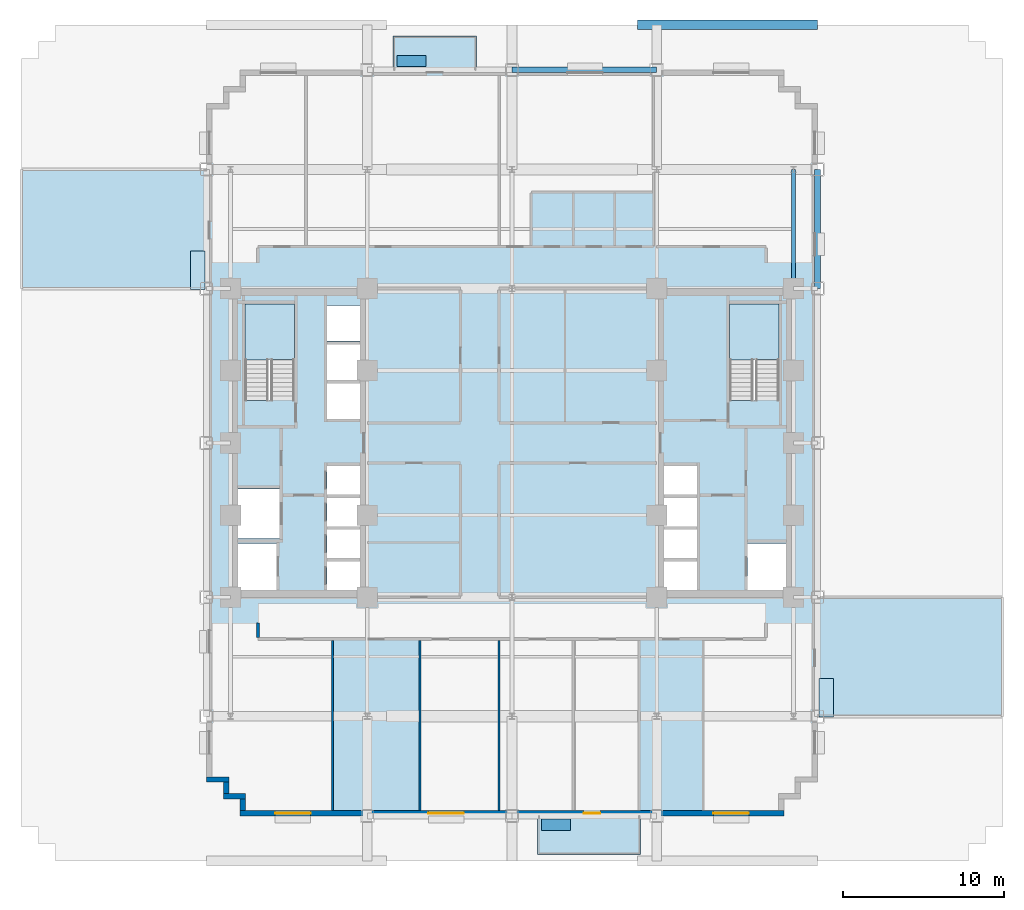
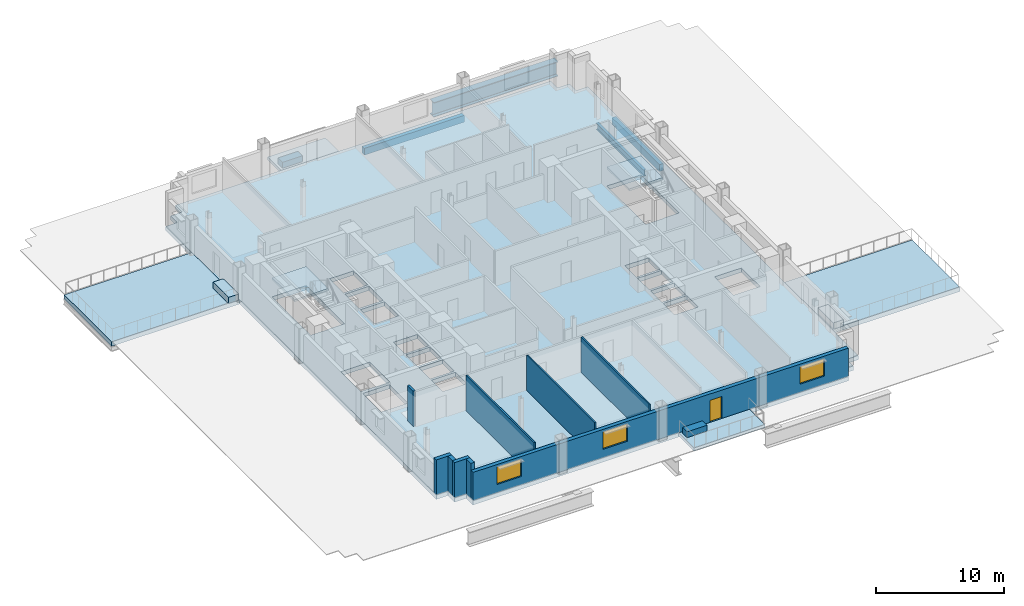
# One storey, part 4 of 13: 9 walls, 7 slabs, 4 beams, 4 plates, 3 windows, 1 door, 4 openings, 2 elements without a shape of their own.
"""IFC4 building model written with IfcOpenShell, lengths in metres."""

from ifc_helpers import new_model, si_unit, direction, frame, frame_2d, origin, origin_2d, place, context, subcontext, project, spatial, polyline, rectangle, i_section, outline, extrude, source, transform, mapped, material, layer, layer_set, material_profile, profile_set, type_object, type_shapes, element, fill, aggregate, save


model = new_model("IFC4")

# Units and contexts
model_context = context("Model", 3, precision=1e-05, world=origin(), true_north=direction((0.0, 1.0)))
body_context = subcontext(model_context, "Body", "Model", "MODEL_VIEW")
ifc_project = project(units=[si_unit("LENGTHUNIT", "METRE"), si_unit("AREAUNIT", "SQUARE_METRE"), si_unit("VOLUMEUNIT", "CUBIC_METRE"), si_unit("PLANEANGLEUNIT", "RADIAN"), si_unit("MASSUNIT", "GRAM", prefix="KILO")], contexts=[model_context])

# Site, building, storey
site_placement = place(None, origin())
site = spatial("IfcSite", under=ifc_project, at=site_placement, CompositionType="ELEMENT")
building_placement = place(site_placement, origin())
building = spatial("IfcBuilding", under=site, at=building_placement, Name="Nuvemarco Arch Tower", CompositionType="ELEMENT")
storey_placement = place(building_placement, frame((0.0, 0.0, 27.60009765625)))
storey = spatial("IfcBuildingStorey", under=building, at=storey_placement, Name="L06", CompositionType="ELEMENT", Elevation=27.60009765625)

# Beams
ifc_material_1 = material(Name="Steel S355", Category="steel")
ifc_material_profile_1 = material_profile(ifc_material_1, i_section(OverallWidth=0.22998046875, OverallDepth=0.616943359375, WebThickness=0.01318359375, FlangeThickness=0.022216796875, FilletRadius=0.01611328125, at=origin_2d()), Name="W610x140")
ifc_profile_set_1 = profile_set([ifc_material_profile_1], Name="Steel S355")
beam_type_1 = type_object("IfcBeamType", Name="BM-GIRD-610", PredefinedType="BEAM", material=ifc_profile_set_1)
beam_1_placement = place(storey_placement, frame((17.5, 9.60009765625, -0.70849609375), z_axis=(0.0, 1.0, 0.0), x_axis=(-1.0, 0.0, 0.0)))
element("IfcBeam", 1, at=beam_1_placement, inside=storey, type_object=beam_type_1, Name="L06 structural beam BGNS_L06_0_+17.5_+9.6", PredefinedType="BEAM", context=body_context, shape_type="SweptSolid", body=[
    extrude(i_section(OverallWidth=0.22998046875, OverallDepth=0.616943359375, WebThickness=0.01318359375, FlangeThickness=0.022216796875, FilletRadius=0.01611328125, at=origin_2d()), origin(), (0.0, 0.0, 1.0), 7.39990234375),
])
ifc_material_2 = material(Name="Precast concrete C45/55", Category="concrete")
ifc_material_profile_2 = material_profile(ifc_material_2, rectangle(XDim=0.35009765625, YDim=0.64990234375, at=origin_2d()), Name="PC-SP-350x650")
ifc_profile_set_2 = profile_set([ifc_material_profile_2], Name="Precast concrete C45/55")
beam_type_2 = type_object("IfcBeamType", Name="BM-SPAN-RC", PredefinedType="SPANDREL", material=ifc_profile_set_2)
beam_2_placement = place(storey_placement, frame((19.0, 9.60009765625, -0.72509765625), z_axis=(0.0, 1.0, 0.0), x_axis=(-1.0, 0.0, 0.0)))
element("IfcBeam", 2, at=beam_2_placement, inside=storey, type_object=beam_type_2, Name="L06 structural beam BGNS_L06_0_+19.0_+9.6", PredefinedType="SPANDREL", context=body_context, shape_type="SweptSolid", body=[
    extrude(rectangle(XDim=0.35009765625, YDim=0.64990234375, at=origin_2d()), origin(), (0.0, 0.0, 1.0), 7.39990234375),
])
beam_3_placement = place(storey_placement, frame((0.0, 23.199951171875, -0.72509765625), z_axis=(1.0, 0.0, 0.0), x_axis=(0.0, 1.0, 0.0)))
element("IfcBeam", 3, at=beam_3_placement, inside=storey, type_object=beam_type_2, Name="L06 structural beam BGEW_L06_0_+23.2_+0.0", PredefinedType="SPANDREL", context=body_context, shape_type="SweptSolid", body=[
    extrude(rectangle(XDim=0.35009765625, YDim=0.64990234375, at=origin_2d()), origin(), (0.0, 0.0, 1.0), 9.0),
])
ifc_material_3 = material(Name="Steel S460", Category="steel")
ifc_material_profile_3 = material_profile(ifc_material_3, i_section(OverallWidth=0.60009765625, OverallDepth=1.39990234375, WebThickness=0.031982421875, FlangeThickness=0.054931640625, FilletRadius=0.02001953125, at=origin_2d()), Name="PG1400x600")
ifc_profile_set_3 = profile_set([ifc_material_profile_3], Name="Steel S460")
beam_type_3 = type_object("IfcBeamType", Name="BM-TG-SETBACK", PredefinedType="BEAM", material=ifc_profile_set_3)
beam_4_placement = place(storey_placement, frame((7.800048828125, 26.0, -1.10009765625), z_axis=(1.0, 0.0, 0.0), x_axis=(0.0, 1.0, 0.0)))
element("IfcBeam", 4, at=beam_4_placement, inside=storey, type_object=beam_type_3, Name="L06 structural beam TGL06_EW_E_+26.0", PredefinedType="BEAM", context=body_context, shape_type="SweptSolid", body=[
    extrude(i_section(OverallWidth=0.60009765625, OverallDepth=1.39990234375, WebThickness=0.031982421875, FlangeThickness=0.054931640625, FilletRadius=0.02001953125, at=origin_2d()), origin(), (0.0, 0.0, 1.0), 11.199951171875),
])

# Slab
ifc_material_4 = material(Name="Concrete C60/75", Category="concrete")
ifc_layer_1 = layer(ifc_material_4, 0.39990234375, Name="SL-FLR-400")
ifc_layer_set_1 = layer_set([ifc_layer_1], Name="Concrete C60/75")
slab_type_1 = type_object("IfcSlabType", Name="SL-FLR-400", PredefinedType="FLOOR", material=ifc_layer_set_1)
slab_1_placement = place(storey_placement, frame((0.0, 0.0, -0.400146484375)))
element("IfcSlab", 5, at=slab_1_placement, inside=storey, type_object=slab_type_1, Name="L06 structural floor slab", PredefinedType="FLOOR", context=body_context, shape_type="SweptSolid", body=[
    extrude(outline(polyline([(-16.89990234375, -23.199951171875), (16.89990234375, -23.199951171875), (16.89990234375, -22.14990234375), (17.949951171875, -22.14990234375), (17.949951171875, -21.10009765625), (19.0, -21.10009765625), (19.0, 21.10009765625), (17.949951171875, 21.10009765625), (17.949951171875, 22.14990234375), (16.89990234375, 22.14990234375), (16.89990234375, 23.199951171875), (-16.89990234375, 23.199951171875), (-16.89990234375, 22.14990234375), (-17.949951171875, 22.14990234375), (-17.949951171875, 21.10009765625), (-19.0, 21.10009765625), (-19.0, -21.10009765625), (-17.949951171875, -21.10009765625), (-17.949951171875, -22.14990234375), (-16.89990234375, -22.14990234375), (-16.89990234375, -23.199951171875)]), holes=[polyline([(-13.5400390625, 2.669921875), (-13.5400390625, 8.64990234375), (-16.60009765625, 8.64990234375), (-16.60009765625, 2.630615234375), (-15.070068359375, 2.630615234375), (-15.070068359375, 2.669921875), (-13.5400390625, 2.669921875)]), polyline([(16.60009765625, 2.669921875), (16.60009765625, 8.64990234375), (13.5400390625, 8.64990234375), (13.5400390625, 2.630615234375), (15.070068359375, 2.630615234375), (15.070068359375, 2.669921875), (16.60009765625, 2.669921875)]), polyline([(-17.050048828125, -9.14990234375), (-14.64990234375, -9.14990234375), (-14.64990234375, -6.25), (-17.050048828125, -6.25), (-17.050048828125, -9.14990234375)]), polyline([(-17.050048828125, -5.949951171875), (-14.449951171875, -5.949951171875), (-14.449951171875, -2.85009765625), (-17.050048828125, -2.85009765625), (-17.050048828125, -5.949951171875)]), polyline([(-11.5, -9.14990234375), (-9.35009765625, -9.14990234375), (-9.35009765625, -7.3701171875), (-11.5, -7.3701171875), (-11.5, -9.14990234375)]), polyline([(-11.5, -7.169921875), (-9.35009765625, -7.169921875), (-9.35009765625, -5.389892578125), (-11.5, -5.389892578125), (-11.5, -7.169921875)]), polyline([(-11.5, -5.18994140625), (-9.35009765625, -5.18994140625), (-9.35009765625, -3.409912109375), (-11.5, -3.409912109375), (-11.5, -5.18994140625)]), polyline([(-11.5, -3.2099609375), (-9.35009765625, -3.2099609375), (-9.35009765625, -1.429931640625), (-11.5, -1.429931640625), (-11.5, -3.2099609375)]), polyline([(-11.5, 1.5), (-9.35009765625, 1.5), (-9.35009765625, 3.699951171875), (-11.5, 3.699951171875), (-11.5, 1.5)]), polyline([(-11.5, 3.919921875), (-9.35009765625, 3.919921875), (-9.35009765625, 6.1201171875), (-11.5, 6.1201171875), (-11.5, 3.919921875)]), polyline([(-11.5, 6.340087890625), (-9.35009765625, 6.340087890625), (-9.35009765625, 8.5400390625), (-11.5, 8.5400390625), (-11.5, 6.340087890625)]), polyline([(14.64990234375, -9.14990234375), (17.050048828125, -9.14990234375), (17.050048828125, -6.25), (14.64990234375, -6.25), (14.64990234375, -9.14990234375)]), polyline([(9.35009765625, -9.14990234375), (11.5, -9.14990234375), (11.5, -7.3701171875), (9.35009765625, -7.3701171875), (9.35009765625, -9.14990234375)]), polyline([(9.35009765625, -7.169921875), (11.5, -7.169921875), (11.5, -5.389892578125), (9.35009765625, -5.389892578125), (9.35009765625, -7.169921875)]), polyline([(9.35009765625, -5.18994140625), (11.5, -5.18994140625), (11.5, -3.409912109375), (9.35009765625, -3.409912109375), (9.35009765625, -5.18994140625)]), polyline([(9.35009765625, -3.2099609375), (11.5, -3.2099609375), (11.5, -1.429931640625), (9.35009765625, -1.429931640625), (9.35009765625, -3.2099609375)])]), origin(), (0.0, 0.0, 1.0), 0.400146484375),
])

# Stair, slab
stair_type = type_object("IfcStairType", Name="ST-CORE-20R", PredefinedType="HALF_TURN_STAIR", material=ifc_material_2)
stair_1_placement = place(storey_placement, origin())
stair_1 = element("IfcStair", 6, at=stair_1_placement, inside=storey, type_object=stair_type, Name="L06 Protected Exit Stair ST-1", PredefinedType="HALF_TURN_STAIR")
ifc_layer_2 = layer(ifc_material_2, 0.199951171875, Name="SL-LANDING-200")
ifc_layer_set_2 = layer_set([ifc_layer_2], Name="Precast concrete C45/55")
slab_type_2 = type_object("IfcSlabType", Name="SL-LANDING-200", PredefinedType="LANDING", material=ifc_layer_set_2)
slab_2_placement = place(storey_placement, frame((0.0, 0.0, 1.625)))
slab_2 = element("IfcSlab", 7, at=slab_2_placement, type_object=slab_type_2, Name="ST-20R landing 1", PredefinedType="LANDING", context=body_context, shape_type="SweptSolid", body=[
    extrude(outline(polyline([(-13.5400390625, 5.189453125), (-13.5400390625, 8.64990234375), (-16.60009765625, 8.64990234375), (-16.60009765625, 5.169921875), (-15.070068359375, 5.169921875), (-15.070068359375, 5.189453125), (-13.5400390625, 5.189453125)])), origin(), (0.0, 0.0, 1.0), 0.199951171875),
])
aggregate(stair_1, [slab_2])

stair_2_placement = place(storey_placement, origin())
stair_2 = element("IfcStair", 8, at=stair_2_placement, inside=storey, type_object=stair_type, Name="L06 Protected Exit Stair ST-2", PredefinedType="HALF_TURN_STAIR")
slab_3_placement = place(storey_placement, frame((0.0, 0.0, 1.625)))
slab_3 = element("IfcSlab", 9, at=slab_3_placement, type_object=slab_type_2, Name="ST-20R landing 1", PredefinedType="LANDING", context=body_context, shape_type="SweptSolid", body=[
    extrude(outline(polyline([(16.60009765625, 5.189453125), (16.60009765625, 8.64990234375), (13.5400390625, 8.64990234375), (13.5400390625, 5.169921875), (15.070068359375, 5.169921875), (15.070068359375, 5.189453125), (16.60009765625, 5.189453125)])), origin(), (0.0, 0.0, 1.0), 0.199951171875),
])
aggregate(stair_2, [slab_3])

# Slabs
ifc_material_5 = material(Name="Concrete C50/60", Category="concrete")
ifc_layer_3 = layer(ifc_material_5, 0.264892578125, Name="SL-TB1")
ifc_layer_set_3 = layer_set([ifc_layer_3], Name="Concrete C50/60")
slab_type_3 = type_object("IfcSlabType", Name="SL-TB1", PredefinedType="FLOOR", material=ifc_layer_set_3)
slab_4_placement = place(storey_placement, frame((0.0, 0.0, -0.26513671875)))
element("IfcSlab", 10, at=slab_4_placement, inside=storey, type_object=slab_type_3, Name="L06 outdoor tree balcony slab 4", PredefinedType="FLOOR", context=body_context, shape_type="SweptSolid", body=[
    extrude(outline(polyline([(-7.39990234375, 23.199951171875), (-2.199951171875, 23.199951171875), (-2.199951171875, 25.300048828125), (-7.39990234375, 25.300048828125), (-7.39990234375, 23.199951171875)])), origin(), (0.0, 0.0, 1.0), 0.26513671875),
])
ifc_layer_4 = layer(ifc_material_5, 0.419921875, Name="SL-TR1")
ifc_layer_set_4 = layer_set([ifc_layer_4], Name="Concrete C50/60")
slab_type_4 = type_object("IfcSlabType", Name="SL-TR1", PredefinedType="FLOOR", material=ifc_layer_set_4)
slab_5_placement = place(storey_placement, frame((0.0, 0.0, -0.420166015625)))
element("IfcSlab", 11, at=slab_5_placement, inside=storey, type_object=slab_type_4, Name="L06 outdoor setback terrace slab 1", PredefinedType="FLOOR", context=body_context, shape_type="SweptSolid", body=[
    extrude(outline(polyline([(-30.5, 9.60009765625), (-19.0, 9.60009765625), (-19.0, 17.0), (-30.5, 17.0), (-30.5, 9.60009765625)])), origin(), (0.0, 0.0, 1.0), 0.420166015625),
])
slab_6_placement = place(storey_placement, frame((0.0, 0.0, -0.420166015625)))
element("IfcSlab", 12, at=slab_6_placement, inside=storey, type_object=slab_type_4, Name="L06 outdoor setback terrace slab 2", PredefinedType="FLOOR", context=body_context, shape_type="SweptSolid", body=[
    extrude(outline(polyline([(19.0, -17.0), (30.5, -17.0), (30.5, -9.60009765625), (19.0, -9.60009765625), (19.0, -17.0)])), origin(), (0.0, 0.0, 1.0), 0.420166015625),
])
ifc_layer_5 = layer(ifc_material_5, 0.294921875, Name="SL-TR4")
ifc_layer_set_5 = layer_set([ifc_layer_5], Name="Concrete C50/60")
slab_type_5 = type_object("IfcSlabType", Name="SL-TR4", PredefinedType="FLOOR", material=ifc_layer_set_5)
slab_7_placement = place(storey_placement, frame((0.0, 0.0, -0.295166015625)))
element("IfcSlab", 13, at=slab_7_placement, inside=storey, type_object=slab_type_5, Name="L06 outdoor spiral terrace slab 3", PredefinedType="FLOOR", context=body_context, shape_type="SweptSolid", body=[
    extrude(outline(polyline([(1.60009765625, -25.60009765625), (8.0, -25.60009765625), (8.0, -23.199951171875), (1.60009765625, -23.199951171875), (1.60009765625, -25.60009765625)])), origin(), (0.0, 0.0, 1.0), 0.295166015625),
])

# Plates
ifc_layer_6 = layer(ifc_material_2, 0.60009765625, Name="Setback Terrace Structural Planter")
ifc_layer_set_6 = layer_set([ifc_layer_6], Name="Precast concrete C45/55")
plate_type_1 = type_object("IfcPlateType", Name="Setback Terrace Structural Planter", PredefinedType="USERDEFINED", material=ifc_layer_set_6)
shared_shape_1 = source(origin(), body_context, "Body", "SweptSolid", [
    extrude(rectangle(XDim=2.39990234375, YDim=0.89990234375, at=origin_2d()), origin(), (0.0, 0.0, 1.0), 0.60009765625),
])
type_shapes(plate_type_1, [shared_shape_1])
for number, where, z_axis, x_axis, name in (
    (14, (-19.550048828125, 10.75, -0.000244140625), (0.0, 0.0, 1.0), (0.0, 1.0, 0.0), "L06 Setback Terrace Structural Planter"),
    (15, (19.550048828125, -15.85009765625, -0.000244140625), (0.0, 0.0, 1.0), (0.0, 1.0, 0.0), "L06 Setback Terrace Structural Planter"),
):
    element("IfcPlate", number, at=place(storey_placement, frame(where, z_axis=z_axis, x_axis=x_axis)), inside=storey, type_object=plate_type_1, Name=name, ObjectType="PLANTER", PredefinedType="USERDEFINED", context=body_context, shape_type="MappedRepresentation", body=[
        mapped(shared_shape_1, transform((0.0, 0.0, 0.0), scale=1.0)),
    ])
ifc_layer_7 = layer(ifc_material_2, 0.550048828125, Name="Tree Balcony Structural Planter")
ifc_layer_set_7 = layer_set([ifc_layer_7], Name="Precast concrete C45/55")
plate_type_2 = type_object("IfcPlateType", Name="Tree Balcony Structural Planter", PredefinedType="USERDEFINED", material=ifc_layer_set_7)
shared_shape_2 = source(origin(), body_context, "Body", "SweptSolid", [
    extrude(rectangle(XDim=1.800048828125, YDim=0.699951171875, at=origin_2d()), origin(), (0.0, 0.0, 1.0), 0.550048828125),
])
type_shapes(plate_type_2, [shared_shape_2])
for number, where, z_axis, x_axis, name in (
    (16, (2.75, -23.75, 0.0), (0.0, 0.0, 1.0), (1.0, 0.0, 0.0), "L06 Tree Balcony Structural Planter"),
    (17, (-6.25, 23.75, 0.0), (0.0, 0.0, 1.0), (1.0, 0.0, 0.0), "L06 Tree Balcony Structural Planter"),
):
    element("IfcPlate", number, at=place(storey_placement, frame(where, z_axis=z_axis, x_axis=x_axis)), inside=storey, type_object=plate_type_2, Name=name, ObjectType="PLANTER", PredefinedType="USERDEFINED", context=body_context, shape_type="MappedRepresentation", body=[
        mapped(shared_shape_2, transform((0.0, 0.0, 0.0), scale=1.0)),
    ])

# Wall, openings, door, windows
ifc_layer_8 = layer(ifc_material_2, 0.340087890625, Name="EW-LOW-340")
ifc_layer_set_8 = layer_set([ifc_layer_8], Name="Precast concrete C45/55")
wall_type_1 = type_object("IfcWallType", Name="EW-LOW-340", PredefinedType="STANDARD", material=ifc_layer_set_8)
wall_1_placement = place(storey_placement, frame((-16.89990234375, -23.030029296875, 0.0), z_axis=(0.0, 0.0, 1.0), x_axis=(1.0, 0.0, 0.0)))
wall_1 = element("IfcWall", 18, at=wall_1_placement, inside=storey, type_object=wall_type_1, Name="L06 exterior precast facade wall 1", PredefinedType="STANDARD", context=body_context, shape_type="SweptSolid", body=[
    extrude(rectangle(XDim=33.7998046875, YDim=0.340087890625, at=frame_2d((16.89990234375, 0.0))), origin(), (0.0, 0.0, 1.0), 2.704833984375),
])
opening_1_placement = place(wall_1_placement, frame((22.400146484375, 0.0, 0.0), z_axis=(0.0, 0.0, 1.0), x_axis=(-1.0, 0.0, 0.0)))
opening_1 = element("IfcOpeningElement", 19, at=opening_1_placement, cuts=wall_1, Name="Opening ED-5", PredefinedType="OPENING", context=body_context, shape_type="SweptSolid", body=[
    extrude(rectangle(XDim=1.050048828125, YDim=2.10009765625, at=frame_2d((0.52490234375, 1.050048828125))), frame((0.0, 0.179931640625, 0.0), z_axis=(0.0, -1.0, 0.0), x_axis=(1.0, 0.0, 0.0)), (0.0, 0.0, 1.0), 0.360107421875),
])
opening_2_placement = place(wall_1_placement, frame((2.17138671875, 0.0, 0.800048828125)))
opening_2 = element("IfcOpeningElement", 20, at=opening_2_placement, cuts=wall_1, Name="Opening WN-3", PredefinedType="OPENING", context=body_context, shape_type="SweptSolid", body=[
    extrude(rectangle(XDim=2.199951171875, YDim=1.64990234375, at=frame_2d((1.10009765625, 0.824951171875))), frame((0.0, 0.179931640625, 0.0), z_axis=(0.0, -1.0, 0.0), x_axis=(1.0, 0.0, 0.0)), (0.0, 0.0, 1.0), 0.360107421875),
])
opening_3_placement = place(wall_1_placement, frame((11.70703125, 0.0, 0.800048828125)))
opening_3 = element("IfcOpeningElement", 21, at=opening_3_placement, cuts=wall_1, Name="Opening WN-3", PredefinedType="OPENING", context=body_context, shape_type="SweptSolid", body=[
    extrude(rectangle(XDim=2.199951171875, YDim=1.64990234375, at=frame_2d((1.10009765625, 0.824951171875))), frame((0.0, 0.179931640625, 0.0), z_axis=(0.0, -1.0, 0.0), x_axis=(1.0, 0.0, 0.0)), (0.0, 0.0, 1.0), 0.360107421875),
])
opening_4_placement = place(wall_1_placement, frame((29.4287109375, 0.0, 0.800048828125)))
opening_4 = element("IfcOpeningElement", 22, at=opening_4_placement, cuts=wall_1, Name="Opening WN-3", PredefinedType="OPENING", context=body_context, shape_type="SweptSolid", body=[
    extrude(rectangle(XDim=2.199951171875, YDim=1.64990234375, at=frame_2d((1.10009765625, 0.824951171875))), frame((0.0, 0.179931640625, 0.0), z_axis=(0.0, -1.0, 0.0), x_axis=(1.0, 0.0, 0.0)), (0.0, 0.0, 1.0), 0.360107421875),
])
ifc_material_6 = material(Name="Anodised bronze and laminated glass", Category="glass")
door_type = type_object("IfcDoorType", Name="DR-EXT-TERR", OperationType="NOTDEFINED", PredefinedType="DOOR", material=ifc_material_6)
shared_shape_3 = source(origin(), body_context, "Body", "SweptSolid", [
    extrude(rectangle(XDim=1.050048828125, YDim=2.10009765625, at=frame_2d((0.52490234375, 1.050048828125))), frame((0.0, 0.02490234375, 0.0), z_axis=(0.0, -1.0, 0.0), x_axis=(1.0, 0.0, 0.0)), (0.0, 0.0, 1.0), 0.050048828125),
])
type_shapes(door_type, [shared_shape_3])
door_placement = place(opening_1_placement, origin())
door = element("IfcDoor", 23, at=door_placement, inside=storey, type_object=door_type, Name="L06 spiral terrace access door", OperationType="SINGLE_SWING_RIGHT", OverallHeight=2.10009765625, OverallWidth=1.050048828125, PredefinedType="DOOR", context=body_context, shape_type="MappedRepresentation", body=[
    mapped(shared_shape_3, transform((0.0, 0.0, 0.0), scale=1.0)),
])
fill(opening_1, door)
ifc_material_7 = material(Name="Insulated solar-control glass", Category="glass")
window_type = type_object("IfcWindowType", Name="WN-LOW-2200x1650", PartitioningType="DOUBLE_PANEL_VERTICAL", PredefinedType="WINDOW", material=ifc_material_7)
shared_shape_4 = source(origin(), body_context, "Body", "SweptSolid", [
    extrude(rectangle(XDim=2.199951171875, YDim=1.64990234375, at=frame_2d((1.10009765625, 0.824951171875))), frame((0.0, 0.030029296875, 0.0), z_axis=(0.0, -1.0, 0.0), x_axis=(1.0, 0.0, 0.0)), (0.0, 0.0, 1.0), 0.06005859375),
])
type_shapes(window_type, [shared_shape_4])
window_1_placement = place(opening_2_placement, origin())
window_1 = element("IfcWindow", 24, at=window_1_placement, inside=storey, type_object=window_type, Name="L06 punched facade window 1", OverallHeight=1.64990234375, OverallWidth=2.199951171875, PartitioningType="SINGLE_PANEL", PredefinedType="WINDOW", context=body_context, shape_type="MappedRepresentation", body=[
    mapped(shared_shape_4, transform((0.0, 0.0, 0.0), scale=1.0)),
])
fill(opening_2, window_1)
window_2_placement = place(opening_3_placement, origin())
window_2 = element("IfcWindow", 25, at=window_2_placement, inside=storey, type_object=window_type, Name="L06 punched facade window 3", OverallHeight=1.64990234375, OverallWidth=2.199951171875, PartitioningType="SINGLE_PANEL", PredefinedType="WINDOW", context=body_context, shape_type="MappedRepresentation", body=[
    mapped(shared_shape_4, transform((0.0, 0.0, 0.0), scale=1.0)),
])
fill(opening_3, window_2)
window_3_placement = place(opening_4_placement, origin())
window_3 = element("IfcWindow", 26, at=window_3_placement, inside=storey, type_object=window_type, Name="L06 punched facade window 7", OverallHeight=1.64990234375, OverallWidth=2.199951171875, PartitioningType="SINGLE_PANEL", PredefinedType="WINDOW", context=body_context, shape_type="MappedRepresentation", body=[
    mapped(shared_shape_4, transform((0.0, 0.0, 0.0), scale=1.0)),
])
fill(opening_4, window_3)

# Walls
wall_2_placement = place(storey_placement, frame((-19.0, -20.929931640625, 0.0), z_axis=(0.0, 0.0, 1.0), x_axis=(1.0, 0.0, 0.0)))
element("IfcWall", 27, at=wall_2_placement, inside=storey, type_object=wall_type_1, Name="L06 exterior precast facade wall 17", PredefinedType="STANDARD", context=body_context, shape_type="SweptSolid", body=[
    extrude(rectangle(XDim=1.389892578125, YDim=0.340087890625, at=frame_2d((0.69482421875, 0.0))), origin(), (0.0, 0.0, 1.0), 3.35986328125),
])
wall_3_placement = place(storey_placement, frame((-17.780029296875, -21.81396484375, 0.0), z_axis=(0.0, 0.0, 1.0), x_axis=(0.0, 1.0, 0.0)))
element("IfcWall", 28, at=wall_3_placement, inside=storey, type_object=wall_type_1, Name="L06 exterior precast facade wall 18", PredefinedType="STANDARD", context=body_context, shape_type="SweptSolid", body=[
    extrude(rectangle(XDim=0.718017578125, YDim=0.340087890625, at=frame_2d((0.35888671875, 0.0))), origin(), (0.0, 0.0, 1.0), 3.35986328125),
])
wall_4_placement = place(storey_placement, frame((-17.949951171875, -21.97998046875, 0.0), z_axis=(0.0, 0.0, 1.0), x_axis=(1.0, 0.0, 0.0)))
element("IfcWall", 29, at=wall_4_placement, inside=storey, type_object=wall_type_1, Name="L06 exterior precast facade wall 19", PredefinedType="STANDARD", context=body_context, shape_type="SweptSolid", body=[
    extrude(rectangle(XDim=1.389892578125, YDim=0.340087890625, at=frame_2d((0.69482421875, 0.0))), origin(), (0.0, 0.0, 1.0), 3.35986328125),
])
wall_5_placement = place(storey_placement, frame((-16.72998046875, -22.864013671875, 0.0), z_axis=(0.0, 0.0, 1.0), x_axis=(0.0, 1.0, 0.0)))
element("IfcWall", 30, at=wall_5_placement, inside=storey, type_object=wall_type_1, Name="L06 exterior precast facade wall 20", PredefinedType="STANDARD", context=body_context, shape_type="SweptSolid", body=[
    extrude(rectangle(XDim=0.718017578125, YDim=0.340087890625, at=frame_2d((0.35888671875, 0.0))), origin(), (0.0, 0.0, 1.0), 3.35986328125),
])
ifc_material_8 = material(Name="Fire-rated gypsum drywall partition")
ifc_layer_9 = layer(ifc_material_8, 0.179931640625, Name="WL-CORR-180")
ifc_layer_set_9 = layer_set([ifc_layer_9], Name="Fire-rated gypsum drywall partition")
wall_type_2 = type_object("IfcWallType", Name="WL-CORR-180", PredefinedType="PARTITIONING", material=ifc_layer_set_9)
wall_6_placement = place(storey_placement, frame((-15.800048828125, -12.114013671875, 0.0), z_axis=(0.0, 0.0, 1.0), x_axis=(0.0, 1.0, 0.0)))
element("IfcWall", 31, at=wall_6_placement, inside=storey, type_object=wall_type_2, Name="L06 interior wall IW-L06-016", PredefinedType="PARTITIONING", context=body_context, shape_type="SweptSolid", body=[
    extrude(rectangle(XDim=0.9140625, YDim=0.179931640625, at=frame_2d((0.45703125, 0.0))), origin(), (0.0, 0.0, 1.0), 3.35986328125),
])
ifc_material_9 = material(Name="Glazed acoustic office partition")
ifc_layer_10 = layer(ifc_material_9, 0.1298828125, Name="WL-EXEC-130")
ifc_layer_set_10 = layer_set([ifc_layer_10], Name="Glazed acoustic office partition")
wall_type_3 = type_object("IfcWallType", Name="WL-EXEC-130", PredefinedType="PARTITIONING", material=ifc_layer_set_10)
for number, where, z_axis, x_axis, name in (
    (32, (-5.7099609375, -22.860107421875, 0.0), (0.0, 0.0, 1.0), (0.0, 1.0, 0.0), "L06 interior wall IW-L06-020"),
    (33, (-0.800048828125, -22.860107421875, 0.0), (0.0, 0.0, 1.0), (0.0, 1.0, 0.0), "L06 interior wall IW-L06-023"),
):
    element("IfcWall", number, at=place(storey_placement, frame(where, z_axis=z_axis, x_axis=x_axis)), inside=storey, type_object=wall_type_3, Name=name, PredefinedType="PARTITIONING", context=body_context, shape_type="SweptSolid", body=[
        extrude(rectangle(XDim=10.57421875, YDim=0.1298828125, at=frame_2d((5.287109375, 0.0))), origin(), (0.0, 0.0, 1.0), 3.35986328125),
    ])
ifc_material_10 = material(Name="Gypsum plasterboard partition")
ifc_layer_11 = layer(ifc_material_10, 0.139892578125, Name="WL-ROOM-140")
ifc_layer_set_11 = layer_set([ifc_layer_11], Name="Gypsum plasterboard partition")
wall_type_4 = type_object("IfcWallType", Name="WL-ROOM-140", PredefinedType="PARTITIONING", material=ifc_layer_set_11)
wall_7_placement = place(storey_placement, frame((-11.169921875, -22.860107421875, 0.0), z_axis=(0.0, 0.0, 1.0), x_axis=(0.0, 1.0, 0.0)))
element("IfcWall", 34, at=wall_7_placement, inside=storey, type_object=wall_type_4, Name="L06 interior wall IW-L06-019", PredefinedType="PARTITIONING", context=body_context, shape_type="SweptSolid", body=[
    extrude(rectangle(XDim=10.57421875, YDim=0.139892578125, at=frame_2d((5.287109375, 0.0))), origin(), (0.0, 0.0, 1.0), 3.35986328125),
])

save(model, "model.ifc")
